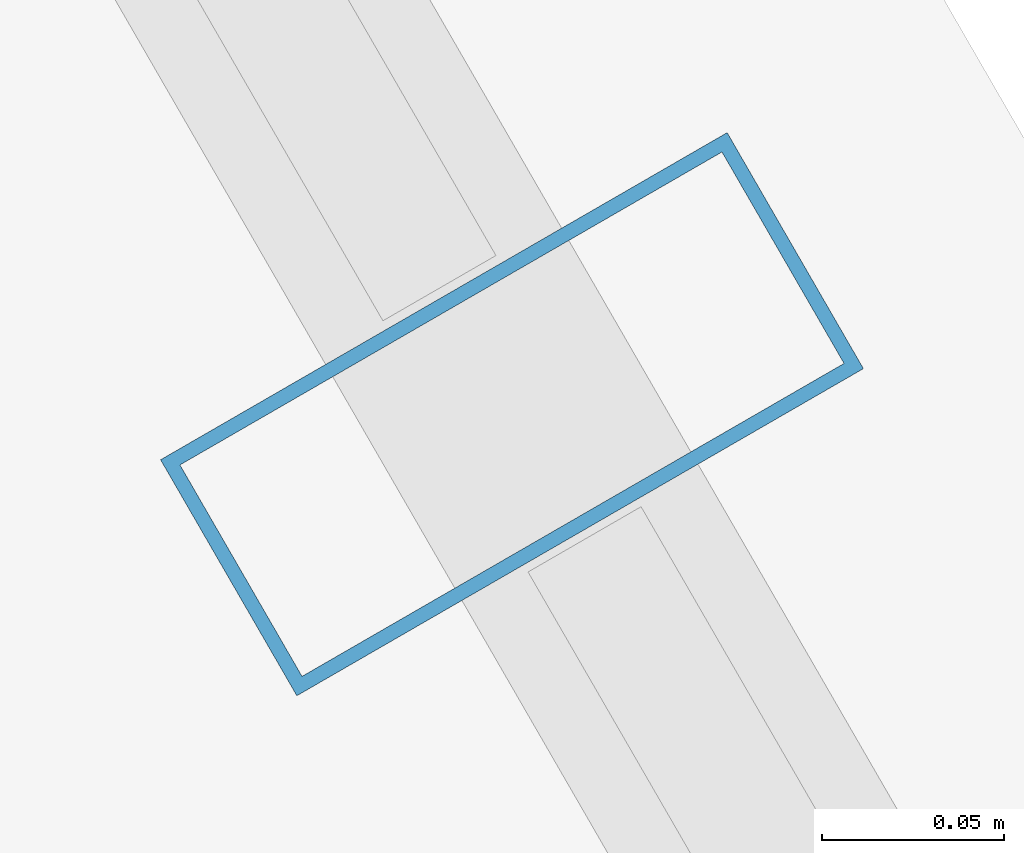
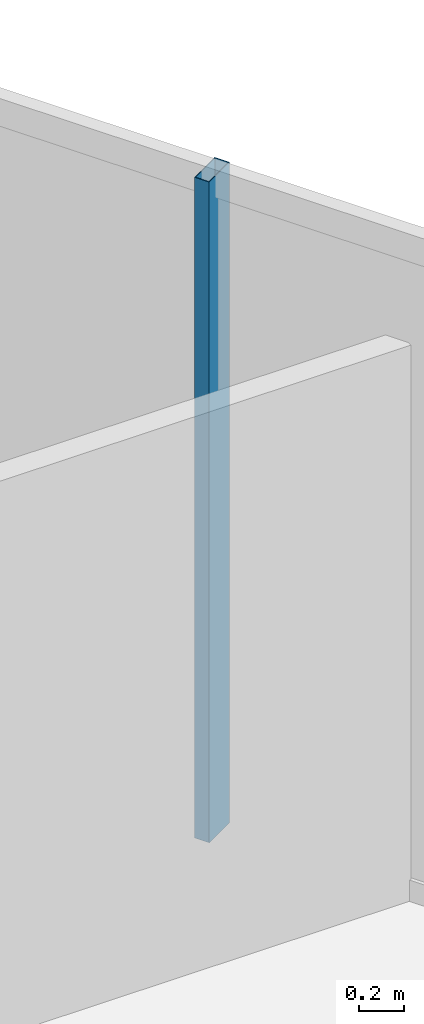
# One storey, part 17 of 35: 1 member, 1 element without a shape of its own.
"""IFC4 building model written with IfcOpenShell, lengths in metres."""

import ifcopenshell
import ifcopenshell.guid

model = None  # the IFC model being written
_history = None  # IfcOwnerHistory: only IFC2X3 demands one
_inside = {}  # id of a spatial element -> (the spatial element, [elements in it])
_under = {}  # id of a project, library or spatial element -> (it, [spatial elements below it])
_declared = {}  # id of a project -> (the project, [libraries it declares])
_typed = {}  # id of a type object -> (the type object, [elements of that type])
_made_of = {}  # id of a material, layer set ... -> (it, [elements and type objects made of it])


def new_model(schema):
    """Start an empty IFC model of exactly this schema.

    Asked for "IFC4X3", IfcOpenShell would pick the latest addendum, in which some entities
    have other attributes; the version numbers below select the first issue.
    IFC2X3 requires an IfcOwnerHistory on every rooted entity: one is made here for all.
    """
    global model, _history
    if schema == "IFC4X3":
        model = ifcopenshell.file(schema_version=(4, 3, 0, 0))
    else:
        model = ifcopenshell.file(schema=schema)
    _inside.clear()
    _under.clear()
    _declared.clear()
    _typed.clear()
    _made_of.clear()
    _history = None
    if model.schema == "IFC2X3":
        org = make("IfcOrganization", Name="unknown")
        user = make(
            "IfcPersonAndOrganization",
            ThePerson=make("IfcPerson", FamilyName="unknown"),
            TheOrganization=org,
        )
        app = make(
            "IfcApplication",
            ApplicationDeveloper=org,
            Version="unknown",
            ApplicationFullName="unknown",
            ApplicationIdentifier="unknown",
        )
        _history = make(
            "IfcOwnerHistory",
            OwningUser=user,
            OwningApplication=app,
            ChangeAction="ADDED",
            CreationDate=0,
        )
    return model


def make(cls, **values):
    """One entity of the class cls with the attributes given. An attribute that is None is left unset."""
    return model.create_entity(
        cls, **{name: value for name, value in values.items() if value is not None}
    )


def rooted(cls, **values):
    """An entity with a GlobalId (a new one), such as an element, a storey or a relation."""
    return make(cls, GlobalId=ifcopenshell.guid.new(), OwnerHistory=_history, **values)


def si_unit(unit_type, name, prefix=None):
    """IfcSIUnit, for example si_unit("LENGTHUNIT", "METRE", prefix="MILLI")."""
    return make("IfcSIUnit", UnitType=unit_type, Prefix=prefix, Name=name)


def assignment(units):
    """IfcUnitAssignment: the units of a project."""
    return None if units is None else make("IfcUnitAssignment", Units=units)


def point(xyz):
    """IfcCartesianPoint."""
    return None if xyz is None else make("IfcCartesianPoint", Coordinates=xyz)


def direction(xyz):
    """IfcDirection."""
    return None if xyz is None else make("IfcDirection", DirectionRatios=xyz)


def frame(location, z_axis=None, x_axis=None):
    """IfcAxis2Placement3D, a coordinate frame: its origin and axes. An axis left out is left unset."""
    return make(
        "IfcAxis2Placement3D",
        Location=point(location),
        Axis=direction(z_axis),
        RefDirection=direction(x_axis),
    )


def frame_2d(location, x_axis=None):
    """IfcAxis2Placement2D, a coordinate frame in the plane: its origin and x axis."""
    return make(
        "IfcAxis2Placement2D", Location=point(location), RefDirection=direction(x_axis)
    )


def origin():
    """The frame at (0, 0, 0) with its axes left unset."""
    return frame((0.0, 0.0, 0.0))


def origin_2d():
    """The frame at (0, 0) in the plane with its x axis left unset."""
    return frame_2d((0.0, 0.0))


def place(relative_to, where):
    """IfcLocalPlacement: puts the frame where relative to a parent placement (None: the world)."""
    return make(
        "IfcLocalPlacement", PlacementRelTo=relative_to, RelativePlacement=where
    )


def context(
    kind, dimensions, precision=None, world=None, true_north=None, identifier=None
):
    """IfcGeometricRepresentationContext, for example the 3D "Model" context."""
    return make(
        "IfcGeometricRepresentationContext",
        ContextIdentifier=identifier,
        ContextType=kind,
        CoordinateSpaceDimension=dimensions,
        Precision=precision,
        WorldCoordinateSystem=world,
        TrueNorth=true_north,
    )


def subcontext(parent, identifier, kind, view, scale=None):
    """IfcGeometricRepresentationSubContext, for example "Body" below "Model"."""
    return make(
        "IfcGeometricRepresentationSubContext",
        ContextIdentifier=identifier,
        ContextType=kind,
        ParentContext=parent,
        TargetScale=scale,
        TargetView=view,
    )


def project(units=None, contexts=None):
    """IfcProject with its units and contexts."""
    return rooted(
        "IfcProject",
        Name="project",
        RepresentationContexts=contexts,
        UnitsInContext=assignment(units),
    )


def spatial(cls, under=None, at=None, **own):
    """A site, building, storey or space (cls), placed at a placement, below another one or the project."""
    s = rooted(cls, ObjectPlacement=at, **own)
    if under is not None:
        _under.setdefault(under.id(), (under, []))[1].append(s)
    return s


def profile(cls, at=None, kind="AREA", **sizes):
    """A parametric profile (cls). Its sizes go by their IFC names, for example OverallWidth=200.0."""
    return make(cls, ProfileType=kind, Position=at, **sizes)


def hollow_rectangle(**sizes):
    """IfcRectangleHollowProfileDef."""
    return profile("IfcRectangleHollowProfileDef", **sizes)


def extrude(swept, where, along, depth):
    """IfcExtrudedAreaSolid: the profile swept, set in the frame where, extruded along a direction by depth."""
    return make(
        "IfcExtrudedAreaSolid",
        SweptArea=swept,
        Position=where,
        ExtrudedDirection=direction(along),
        Depth=depth,
    )


def shape(context_of_items, identifier, shape_type, items):
    """IfcShapeRepresentation: the items that make up one representation, for example the "Body"."""
    return make(
        "IfcShapeRepresentation",
        ContextOfItems=context_of_items,
        RepresentationIdentifier=identifier,
        RepresentationType=shape_type,
        Items=items,
    )


def material(Name=None, Category=None):
    """IfcMaterial."""
    return make("IfcMaterial", Name=Name, Category=Category)


def layer(
    of_material, thickness, ventilated=None, Name=None, Category=None, Priority=None
):
    """IfcMaterialLayer: one layer of a wall or slab, of a material (None: an air gap)."""
    return make(
        "IfcMaterialLayer",
        Material=of_material,
        LayerThickness=thickness,
        IsVentilated=ventilated,
        Name=Name,
        Category=Category,
        Priority=Priority,
    )


def layer_set(layers, Name=None):
    """IfcMaterialLayerSet."""
    return make("IfcMaterialLayerSet", MaterialLayers=layers, LayerSetName=Name)


def material_profile(
    of_material, cross_section, Name=None, Category=None, Priority=None
):
    """IfcMaterialProfile: a cross section and its material."""
    return make(
        "IfcMaterialProfile",
        Name=Name,
        Material=of_material,
        Profile=cross_section,
        Priority=Priority,
        Category=Category,
    )


def profile_set(profiles, Name=None, composite=None):
    """IfcMaterialProfileSet."""
    return make(
        "IfcMaterialProfileSet",
        Name=Name,
        MaterialProfiles=profiles,
        CompositeProfile=composite,
    )


def made_of(thing, what):
    """Note that an element or type object is made of a material, layer set ...; save() writes the relation."""
    if what is not None:
        _made_of.setdefault(what.id(), (what, []))[1].append(thing)
    return thing


def type_object(cls, material=None, **own):
    """A type object (cls), such as IfcWallType, which elements share."""
    return made_of(rooted(cls, **own), material)


def element(
    cls,
    number,
    at=None,
    inside=None,
    cuts=None,
    type_object=None,
    material=None,
    context=None,
    identifier="Body",
    shape_type=None,
    held_by="IfcProductDefinitionShape",
    body=None,
    shapes=None,
    **own,
):
    """One element of the class cls, such as IfcWall. Its Tag is "e" and its number.

    at: its placement. inside: the storey or other place that contains it. cuts: it is an
    opening in that element (IfcRelVoidsElement). A single representation is given by context,
    identifier, shape_type and body (its items); several are given by shapes. held_by: the class
    of the entity that holds the representations. save() writes the other relations.
    """
    e = rooted(cls, Tag="e%d" % number, ObjectPlacement=at, **own)
    if body is not None:
        shapes = [shape(context, identifier, shape_type, body)]
    if shapes is not None:
        e.Representation = make(held_by, Representations=shapes)
    if inside is not None:
        _inside.setdefault(inside.id(), (inside, []))[1].append(e)
    if cuts is not None:
        rooted(
            "IfcRelVoidsElement", RelatingBuildingElement=cuts, RelatedOpeningElement=e
        )
    if type_object is not None:
        _typed.setdefault(type_object.id(), (type_object, []))[1].append(e)
    return made_of(e, material)


def aggregate(whole, parts):
    """IfcRelAggregates: a whole, such as a stair, and the parts it consists of."""
    return rooted("IfcRelAggregates", RelatingObject=whole, RelatedObjects=parts)


def save(model, path):
    """Write the relations noted so far, then the file.

    IfcRelAggregates (storeys below a building ...), IfcRelContainedInSpatialStructure (elements
    in a storey), IfcRelDefinesByType, IfcRelAssociatesMaterial and IfcRelDeclares: one each for
    every whole, place, type object, material and project.
    """
    for whole, parts in _under.values():
        aggregate(whole, parts)
    for where, things in _inside.values():
        rooted(
            "IfcRelContainedInSpatialStructure",
            RelatedElements=things,
            RelatingStructure=where,
        )
    for kind, things in _typed.values():
        rooted("IfcRelDefinesByType", RelatedObjects=things, RelatingType=kind)
    for what, things in _made_of.values():
        rooted("IfcRelAssociatesMaterial", RelatedObjects=things, RelatingMaterial=what)
    for by, libraries in _declared.values():
        rooted("IfcRelDeclares", RelatingContext=by, RelatedDefinitions=libraries)
    model.write(path)


model = new_model("IFC4")

# Units and contexts
model_context = context("Model", 3, precision=1e-05, world=origin(), true_north=direction((0.0, 1.0)))
body_context = subcontext(model_context, "Body", "Model", "MODEL_VIEW")
ifc_project = project(units=[si_unit("LENGTHUNIT", "METRE"), si_unit("AREAUNIT", "SQUARE_METRE"), si_unit("VOLUMEUNIT", "CUBIC_METRE"), si_unit("PLANEANGLEUNIT", "RADIAN"), si_unit("MASSUNIT", "GRAM", prefix="KILO")], contexts=[model_context])

# Site, building, storey
site_placement = place(None, origin())
site = spatial("IfcSite", under=ifc_project, at=site_placement, CompositionType="ELEMENT")
building_placement = place(site_placement, origin())
building = spatial("IfcBuilding", under=site, at=building_placement, Name="Ndaravel Arena Tower", CompositionType="ELEMENT")
storey_placement = place(building_placement, frame((0.0, 0.0, 180.199951171875)))
storey = spatial("IfcBuildingStorey", under=building, at=storey_placement, Name="L43", CompositionType="ELEMENT", Elevation=180.199951171875)

# Curtain wall, member
ifc_material_1 = material(Name="Aluminium", Category="aluminium")
ifc_layer = layer(ifc_material_1, 0.179931640625)
ifc_layer_set = layer_set([ifc_layer], Name="Aluminium")
curtain_wall_type = type_object("IfcCurtainWallType", Name="CW-SYS-03", PredefinedType="NOTDEFINED", material=ifc_layer_set)
curtain_wall_placement = place(storey_placement, origin())
curtain_wall = element("IfcCurtainWall", 1, at=curtain_wall_placement, inside=storey, type_object=curtain_wall_type, Name="L43 Faceted Crystal Curtain Wall CW-L43-E03", PredefinedType="NOTDEFINED")
ifc_material_2 = material(Name="Aluminium", Category="aluminium")
ifc_material_profile = material_profile(ifc_material_2, hollow_rectangle(XDim=0.074951171875, YDim=0.179931640625, WallThickness=0.00390625, at=origin_2d()), Name="CW MULLION 75x180x4")
ifc_profile_set = profile_set([ifc_material_profile], Name="Aluminium")
member_type = type_object("IfcMemberType", Name="MEM-CW-MUL180", PredefinedType="MULLION", material=ifc_profile_set)
member_placement = place(storey_placement, frame((57.40966796875, 28.250732421875, 0.0), z_axis=(0.0, 0.0, 1.0), x_axis=(-0.5, 0.866025403784, 0.0)))
member = element("IfcMember", 2, at=member_placement, type_object=member_type, Name="CW-L43-E03 Mullion 04", PredefinedType="MULLION", context=body_context, shape_type="SweptSolid", body=[
    extrude(hollow_rectangle(XDim=0.074951171875, YDim=0.179931640625, WallThickness=0.00390625, at=origin_2d()), origin(), (0.0, 0.0, 1.0), 3.580078125),
])
aggregate(curtain_wall, [member])

save(model, "model.ifc")
